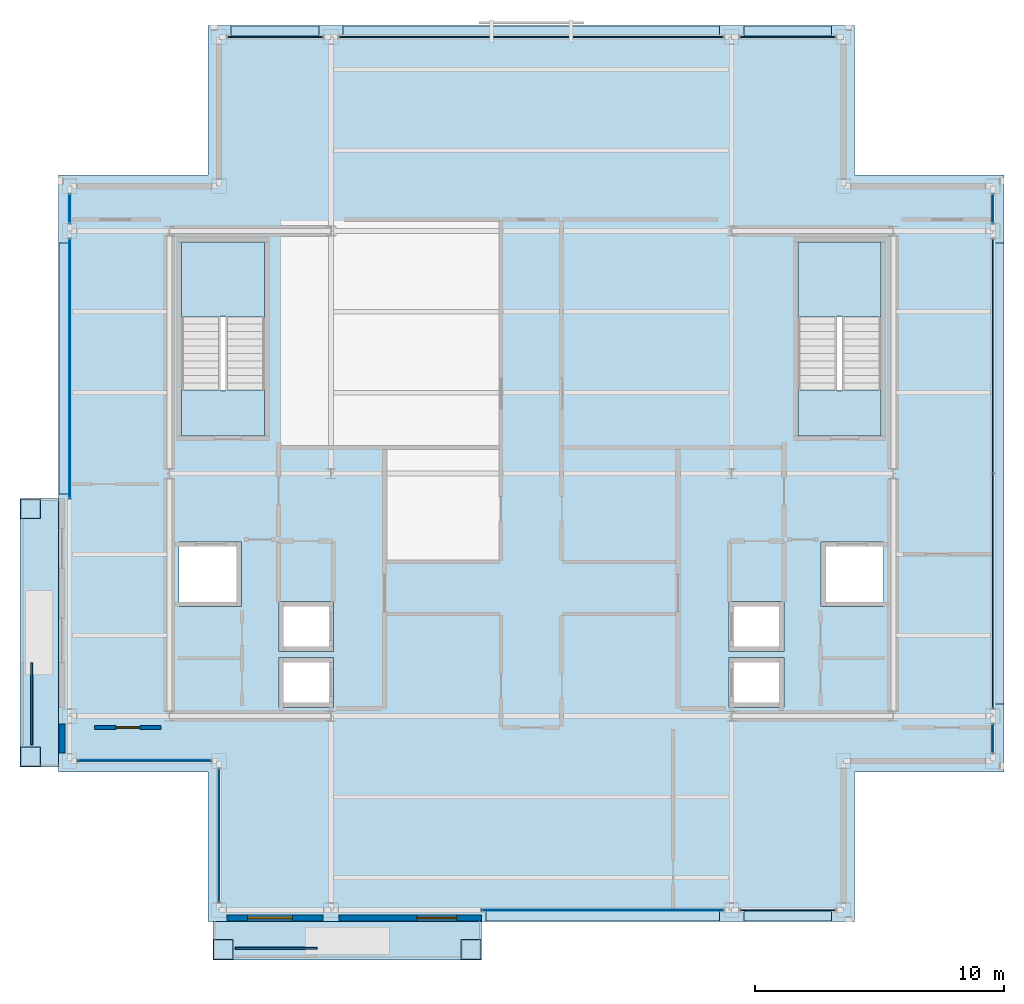
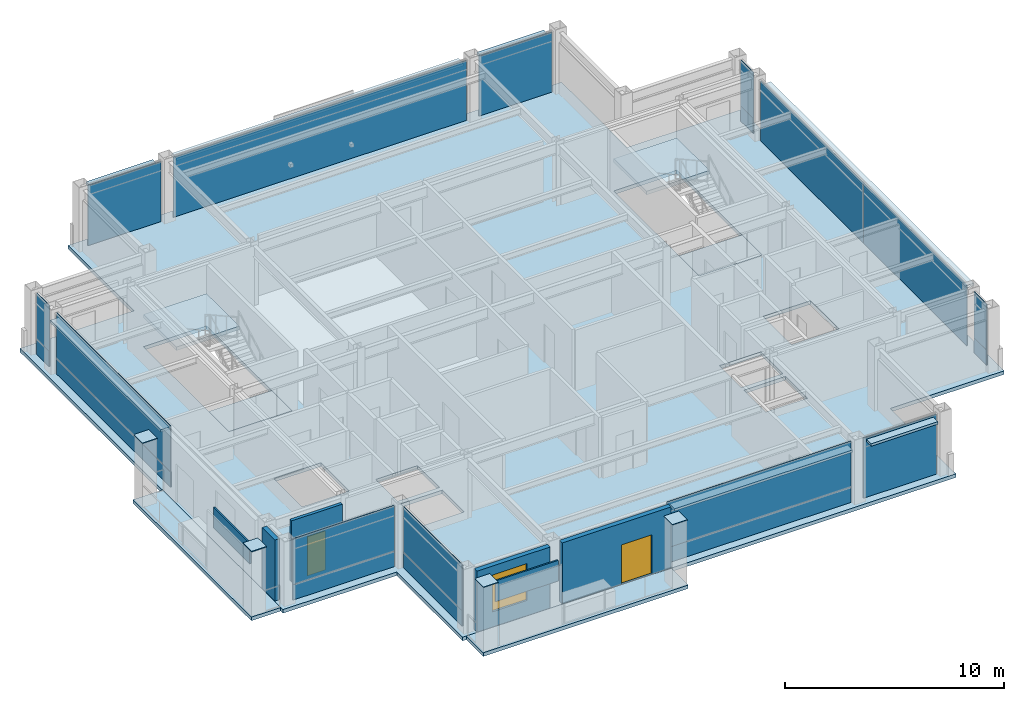
# One storey, part 19 of 24: 33 plates, 7 slabs, 4 walls, 2 doors, 1 window, 3 openings, 14 elements without a shape of their own.
"""IFC4 building model written with IfcOpenShell, lengths in metres."""

from ifc_helpers import new_model, si_unit, direction, frame, frame_2d, origin, origin_2d, place, context, subcontext, project, spatial, polyline, rectangle, outline, extrude, material, layer, layer_set, type_object, element, fill, aggregate, save


model = new_model("IFC4")

# Units and contexts
model_context = context("Model", 3, precision=1e-05, world=origin(), true_north=direction((0.0, 1.0)))
body_context = subcontext(model_context, "Body", "Model", "MODEL_VIEW")
ifc_project = project(units=[si_unit("LENGTHUNIT", "METRE"), si_unit("AREAUNIT", "SQUARE_METRE"), si_unit("VOLUMEUNIT", "CUBIC_METRE"), si_unit("PLANEANGLEUNIT", "RADIAN"), si_unit("MASSUNIT", "GRAM", prefix="KILO")], contexts=[model_context])

# Site, building, storey
site_placement = place(None, origin())
site = spatial("IfcSite", under=ifc_project, at=site_placement, CompositionType="ELEMENT")
building_placement = place(site_placement, origin())
building = spatial("IfcBuilding", under=site, at=building_placement, Name="Brelmoor Portico Tower", CompositionType="ELEMENT")
storey_placement = place(building_placement, frame((0.0, 0.0, 254.39990234375)))
storey = spatial("IfcBuildingStorey", under=building, at=storey_placement, Name="L67", CompositionType="ELEMENT", Elevation=254.39990234375)

# Plates
ifc_material_1 = material(Name="Steel Q355B", Category="steel")
ifc_layer_1 = layer(ifc_material_1, 0.044921875)
ifc_layer_set_1 = layer_set([ifc_layer_1], Name="Steel Q355B")
plate_type_1 = type_object("IfcPlateType", Name="PT-CAP-650", PredefinedType="SHEET", material=ifc_layer_set_1)
for number, where, z_axis, x_axis, name in (
    (1, (-12.3798828125, -19.1298828125, 3.60009765625), (0.0, 0.0, 1.0), (1.0, 0.0, 0.0), "L67 Proud Picture-Frame Pier PFJ-S1 Welded Head Cap Plate"),
    (2, (-2.419921875, -19.1298828125, 3.60009765625), (0.0, 0.0, 1.0), (1.0, 0.0, 0.0), "L67 Proud Picture-Frame Pier PFJ-S2 Welded Head Cap Plate"),
    (3, (-20.1298828125, -11.3798828125, 3.60009765625), (0.0, 0.0, 1.0), (0.0, 1.0, 0.0), "L67 Proud Picture-Frame Pier PFJ-W1 Welded Head Cap Plate"),
    (4, (-20.1298828125, -1.419921875, 3.60009765625), (0.0, 0.0, 1.0), (0.0, 1.0, 0.0), "L67 Proud Picture-Frame Pier PFJ-W2 Welded Head Cap Plate"),
):
    element("IfcPlate", number, at=place(storey_placement, frame(where, z_axis=z_axis, x_axis=x_axis)), inside=storey, type_object=plate_type_1, Name=name, PredefinedType="SHEET", context=body_context, shape_type="SweptSolid", body=[
        extrude(rectangle(XDim=0.7900390625, YDim=0.7900390625, at=origin_2d()), origin(), (0.0, 0.0, 1.0), 0.0400390625),
    ])

# Curtain wall, plate
ifc_material_2 = material(Name="Anodised Aluminium Alloy 6063-T6", Category="aluminium")
ifc_layer_2 = layer(ifc_material_2, 0.179931640625)
ifc_layer_set_2 = layer_set([ifc_layer_2], Name="Anodised Aluminium Alloy 6063-T6")
curtain_wall_type_1 = type_object("IfcCurtainWallType", Name="CW-TOWER-Z4", PredefinedType="NOTDEFINED", material=ifc_layer_set_2)
curtain_wall_1_placement = place(storey_placement, origin())
curtain_wall_1 = element("IfcCurtainWall", 5, at=curtain_wall_1_placement, inside=storey, type_object=curtain_wall_type_1, Name="L67 Curtain Wall CW-L67-1R-1", PredefinedType="NOTDEFINED")
ifc_material_3 = material(Name="Double-Silver Low-E Insulated Glazing", Category="glass")
ifc_layer_3 = layer(ifc_material_3, 0.035888671875)
ifc_layer_set_3 = layer_set([ifc_layer_3], Name="Double-Silver Low-E Insulated Glazing")
plate_type_2 = type_object("IfcPlateType", Name="PT-CW-GLASS", PredefinedType="CURTAIN_PANEL", material=ifc_layer_set_3)
plate_1_placement = place(storey_placement, frame((2.8701171875, -17.550048828125, 0.85009765625), z_axis=(0.0, 0.0, 1.0), x_axis=(1.0, 0.0, 0.0)))
plate_1 = element("IfcPlate", 6, at=plate_1_placement, type_object=plate_type_2, Name="CW-L67-1R-1 Vision Glass Panel 00", PredefinedType="CURTAIN_PANEL", context=body_context, shape_type="SweptSolid", body=[
    extrude(rectangle(XDim=9.7099609375, YDim=0.035888671875, at=origin_2d()), origin(), (0.0, 0.0, 1.0), 2.550048828125),
])

curtain_wall_2_placement = place(storey_placement, origin())
curtain_wall_2 = element("IfcCurtainWall", 7, at=curtain_wall_2_placement, inside=storey, type_object=curtain_wall_type_1, Name="L67 Curtain Wall CW-L67-3R-1", PredefinedType="NOTDEFINED")
plate_2_placement = place(storey_placement, frame((-18.550048828125, 4.219970703125, 0.85009765625), z_axis=(0.0, 0.0, 1.0), x_axis=(0.0, 1.0, 0.0)))
plate_2 = element("IfcPlate", 8, at=plate_2_placement, type_object=plate_type_2, Name="CW-L67-3R-1 Vision Glass Panel 00", PredefinedType="CURTAIN_PANEL", context=body_context, shape_type="SweptSolid", body=[
    extrude(rectangle(XDim=10.409912109375, YDim=0.035888671875, at=origin_2d()), origin(), (0.0, 0.0, 1.0), 2.550048828125),
])

curtain_wall_3_placement = place(storey_placement, origin())
curtain_wall_3 = element("IfcCurtainWall", 9, at=curtain_wall_3_placement, inside=storey, type_object=curtain_wall_type_1, Name="L67 Curtain Wall CW-L67-3R-2", PredefinedType="NOTDEFINED")
plate_3_placement = place(storey_placement, frame((-18.550048828125, 10.64990234375, 0.85009765625), z_axis=(0.0, 0.0, 1.0), x_axis=(0.0, 1.0, 0.0)))
plate_3 = element("IfcPlate", 10, at=plate_3_placement, type_object=plate_type_2, Name="CW-L67-3R-2 Vision Glass Panel 00", PredefinedType="CURTAIN_PANEL", context=body_context, shape_type="SweptSolid", body=[
    extrude(rectangle(XDim=1.14990234375, YDim=0.035888671875, at=origin_2d()), origin(), (0.0, 0.0, 1.0), 2.550048828125),
])

curtain_wall_4_placement = place(storey_placement, origin())
curtain_wall_4 = element("IfcCurtainWall", 11, at=curtain_wall_4_placement, inside=storey, type_object=curtain_wall_type_1, Name="L67 Curtain Wall CW-L67-04-1", PredefinedType="NOTDEFINED")
plate_4_placement = place(storey_placement, frame((18.550048828125, -10.64990234375, 0.85009765625), z_axis=(0.0, 0.0, 1.0), x_axis=(0.0, 1.0, 0.0)))
plate_4 = element("IfcPlate", 12, at=plate_4_placement, type_object=plate_type_2, Name="CW-L67-04-1 Vision Glass Panel 00", PredefinedType="CURTAIN_PANEL", context=body_context, shape_type="SweptSolid", body=[
    extrude(rectangle(XDim=1.14990234375, YDim=0.035888671875, at=origin_2d()), origin(), (0.0, 0.0, 1.0), 2.550048828125),
])

curtain_wall_5_placement = place(storey_placement, origin())
curtain_wall_5 = element("IfcCurtainWall", 13, at=curtain_wall_5_placement, inside=storey, type_object=curtain_wall_type_1, Name="L67 Curtain Wall CW-L67-04-3", PredefinedType="NOTDEFINED")
plate_5_placement = place(storey_placement, frame((18.550048828125, 10.64990234375, 0.85009765625), z_axis=(0.0, 0.0, 1.0), x_axis=(0.0, 1.0, 0.0)))
plate_5 = element("IfcPlate", 14, at=plate_5_placement, type_object=plate_type_2, Name="CW-L67-04-3 Vision Glass Panel 00", PredefinedType="CURTAIN_PANEL", context=body_context, shape_type="SweptSolid", body=[
    extrude(rectangle(XDim=1.14990234375, YDim=0.035888671875, at=origin_2d()), origin(), (0.0, 0.0, 1.0), 2.550048828125),
])

ifc_layer_4 = layer(ifc_material_2, 0.179931640625)
ifc_layer_set_4 = layer_set([ifc_layer_4], Name="Anodised Aluminium Alloy 6063-T6")
curtain_wall_type_2 = type_object("IfcCurtainWallType", Name="CW-NOTCH-CHAMFER", PredefinedType="NOTDEFINED", material=ifc_layer_set_4)
curtain_wall_6_placement = place(storey_placement, origin())
curtain_wall_6 = element("IfcCurtainWall", 15, at=curtain_wall_6_placement, inside=storey, type_object=curtain_wall_type_2, Name="L67 Curtain Wall CWN-L67-SWH", PredefinedType="NOTDEFINED")
plate_6_placement = place(storey_placement, frame((-15.550048828125, -11.550048828125, 0.85009765625), z_axis=(0.0, 0.0, 1.0), x_axis=(1.0, 0.0, 0.0)))
plate_6 = element("IfcPlate", 16, at=plate_6_placement, type_object=plate_type_2, Name="CWN-L67-SWH Vision Glass Panel 00", PredefinedType="CURTAIN_PANEL", context=body_context, shape_type="SweptSolid", body=[
    extrude(rectangle(XDim=5.35009765625, YDim=0.035888671875, at=origin_2d()), origin(), (0.0, 0.0, 1.0), 2.550048828125),
])

curtain_wall_7_placement = place(storey_placement, origin())
curtain_wall_7 = element("IfcCurtainWall", 17, at=curtain_wall_7_placement, inside=storey, type_object=curtain_wall_type_2, Name="L67 Curtain Wall CWN-L67-SWV", PredefinedType="NOTDEFINED")
plate_7_placement = place(storey_placement, frame((-12.550048828125, -14.550048828125, 0.85009765625), z_axis=(0.0, 0.0, 1.0), x_axis=(0.0, 1.0, 0.0)))
plate_7 = element("IfcPlate", 18, at=plate_7_placement, type_object=plate_type_2, Name="CWN-L67-SWV Vision Glass Panel 00", PredefinedType="CURTAIN_PANEL", context=body_context, shape_type="SweptSolid", body=[
    extrude(rectangle(XDim=5.35009765625, YDim=0.035888671875, at=origin_2d()), origin(), (0.0, 0.0, 1.0), 2.550048828125),
])

# Plate
ifc_material_4 = material(Name="Pale Champagne Anodised Aluminium Panel", Category="aluminium")
ifc_layer_5 = layer(ifc_material_4, 0.050048828125)
ifc_layer_set_5 = layer_set([ifc_layer_5], Name="Pale Champagne Anodised Aluminium Panel")
plate_type_3 = type_object("IfcPlateType", Name="PT-CW-SPANDREL", PredefinedType="SHEET", material=ifc_layer_set_5)
plate_8_placement = place(storey_placement, frame((2.8701171875, -17.550048828125, 0.0), z_axis=(0.0, 0.0, 1.0), x_axis=(1.0, 0.0, 0.0)))
plate_8 = element("IfcPlate", 19, at=plate_8_placement, type_object=plate_type_3, Name="CW-L67-1R-1 Spandrel Panel 00", PredefinedType="SHEET", context=body_context, shape_type="SweptSolid", body=[
    extrude(rectangle(XDim=9.7099609375, YDim=0.050048828125, at=origin_2d()), origin(), (0.0, 0.0, 1.0), 0.85009765625),
])

aggregate(curtain_wall_1, [plate_8, plate_1])

# Curtain wall, plate
ifc_layer_6 = layer(ifc_material_2, 0.179931640625)
ifc_layer_set_6 = layer_set([ifc_layer_6], Name="Anodised Aluminium Alloy 6063-T6")
curtain_wall_type_3 = type_object("IfcCurtainWallType", Name="CW-TOWER-Z4-XB", PredefinedType="NOTDEFINED", material=ifc_layer_set_6)
curtain_wall_8_placement = place(storey_placement, origin())
curtain_wall_8 = element("IfcCurtainWall", 20, at=curtain_wall_8_placement, inside=storey, type_object=curtain_wall_type_3, Name="L67 Curtain Wall CW-L67-1R-2", PredefinedType="NOTDEFINED")
plate_9_placement = place(storey_placement, frame((10.300048828125, -17.550048828125, 0.000244140625), z_axis=(0.0, 0.0, 1.0), x_axis=(1.0, 0.0, 0.0)))
plate_9 = element("IfcPlate", 21, at=plate_9_placement, type_object=plate_type_3, Name="CW-L67-1R-2 Spandrel Panel 00", PredefinedType="SHEET", context=body_context, shape_type="SweptSolid", body=[
    extrude(rectangle(XDim=3.85009765625, YDim=0.050048828125, at=origin_2d()), origin(), (0.0, 0.0, 1.0), 3.33740234375),
])
aggregate(curtain_wall_8, [plate_9])

curtain_wall_9_placement = place(storey_placement, origin())
curtain_wall_9 = element("IfcCurtainWall", 22, at=curtain_wall_9_placement, inside=storey, type_object=curtain_wall_type_3, Name="L67 Curtain Wall CW-L67-02-1", PredefinedType="NOTDEFINED")
plate_10_placement = place(storey_placement, frame((-10.300048828125, 17.550048828125, 0.000244140625), z_axis=(0.0, 0.0, 1.0), x_axis=(1.0, 0.0, 0.0)))
plate_10 = element("IfcPlate", 23, at=plate_10_placement, type_object=plate_type_3, Name="CW-L67-02-1 Spandrel Panel 00", PredefinedType="SHEET", context=body_context, shape_type="SweptSolid", body=[
    extrude(rectangle(XDim=3.85009765625, YDim=0.050048828125, at=origin_2d()), origin(), (0.0, 0.0, 1.0), 3.33740234375),
])
aggregate(curtain_wall_9, [plate_10])

curtain_wall_10_placement = place(storey_placement, origin())
curtain_wall_10 = element("IfcCurtainWall", 24, at=curtain_wall_10_placement, inside=storey, type_object=curtain_wall_type_3, Name="L67 Curtain Wall CW-L67-02-2", PredefinedType="NOTDEFINED")
plate_11_placement = place(storey_placement, frame((0.0, 17.550048828125, 0.000244140625), z_axis=(0.0, 0.0, 1.0), x_axis=(1.0, 0.0, 0.0)))
plate_11 = element("IfcPlate", 25, at=plate_11_placement, type_object=plate_type_3, Name="CW-L67-02-2 Spandrel Panel 00", PredefinedType="SHEET", context=body_context, shape_type="SweptSolid", body=[
    extrude(rectangle(XDim=15.449951171875, YDim=0.050048828125, at=origin_2d()), origin(), (0.0, 0.0, 1.0), 3.33740234375),
])
aggregate(curtain_wall_10, [plate_11])

curtain_wall_11_placement = place(storey_placement, origin())
curtain_wall_11 = element("IfcCurtainWall", 26, at=curtain_wall_11_placement, inside=storey, type_object=curtain_wall_type_3, Name="L67 Curtain Wall CW-L67-02-3", PredefinedType="NOTDEFINED")
plate_12_placement = place(storey_placement, frame((10.300048828125, 17.550048828125, 0.000244140625), z_axis=(0.0, 0.0, 1.0), x_axis=(1.0, 0.0, 0.0)))
plate_12 = element("IfcPlate", 27, at=plate_12_placement, type_object=plate_type_3, Name="CW-L67-02-3 Spandrel Panel 00", PredefinedType="SHEET", context=body_context, shape_type="SweptSolid", body=[
    extrude(rectangle(XDim=3.85009765625, YDim=0.050048828125, at=origin_2d()), origin(), (0.0, 0.0, 1.0), 3.33740234375),
])
aggregate(curtain_wall_11, [plate_12])

# Plate
plate_13_placement = place(storey_placement, frame((-18.550048828125, 4.219970703125, 0.0), z_axis=(0.0, 0.0, 1.0), x_axis=(0.0, 1.0, 0.0)))
plate_13 = element("IfcPlate", 28, at=plate_13_placement, type_object=plate_type_3, Name="CW-L67-3R-1 Spandrel Panel 00", PredefinedType="SHEET", context=body_context, shape_type="SweptSolid", body=[
    extrude(rectangle(XDim=10.409912109375, YDim=0.050048828125, at=origin_2d()), origin(), (0.0, 0.0, 1.0), 0.85009765625),
])

aggregate(curtain_wall_2, [plate_13, plate_2])

plate_14_placement = place(storey_placement, frame((-18.550048828125, 10.64990234375, 0.0), z_axis=(0.0, 0.0, 1.0), x_axis=(0.0, 1.0, 0.0)))
plate_14 = element("IfcPlate", 29, at=plate_14_placement, type_object=plate_type_3, Name="CW-L67-3R-2 Spandrel Panel 00", PredefinedType="SHEET", context=body_context, shape_type="SweptSolid", body=[
    extrude(rectangle(XDim=1.14990234375, YDim=0.050048828125, at=origin_2d()), origin(), (0.0, 0.0, 1.0), 0.85009765625),
])

aggregate(curtain_wall_3, [plate_14, plate_3])

plate_15_placement = place(storey_placement, frame((18.550048828125, -10.64990234375, 0.0), z_axis=(0.0, 0.0, 1.0), x_axis=(0.0, 1.0, 0.0)))
plate_15 = element("IfcPlate", 30, at=plate_15_placement, type_object=plate_type_3, Name="CW-L67-04-1 Spandrel Panel 00", PredefinedType="SHEET", context=body_context, shape_type="SweptSolid", body=[
    extrude(rectangle(XDim=1.14990234375, YDim=0.050048828125, at=origin_2d()), origin(), (0.0, 0.0, 1.0), 0.85009765625),
])

aggregate(curtain_wall_4, [plate_15, plate_4])

# Curtain wall, plates
curtain_wall_12_placement = place(storey_placement, origin())
curtain_wall_12 = element("IfcCurtainWall", 31, at=curtain_wall_12_placement, inside=storey, type_object=curtain_wall_type_3, Name="L67 Curtain Wall CW-L67-04-2", PredefinedType="NOTDEFINED")
plate_16_placement = place(storey_placement, frame((18.550048828125, -4.719970703125, 0.000244140625), z_axis=(0.0, 0.0, 1.0), x_axis=(0.0, 1.0, 0.0)))
plate_16 = element("IfcPlate", 32, at=plate_16_placement, type_object=plate_type_3, Name="CW-L67-04-2 Spandrel Panel 00", PredefinedType="SHEET", context=body_context, shape_type="SweptSolid", body=[
    extrude(rectangle(XDim=9.409912109375, YDim=0.050048828125, at=origin_2d()), origin(), (0.0, 0.0, 1.0), 3.33740234375),
])
plate_17_placement = place(storey_placement, frame((18.550048828125, 4.719970703125, 0.000244140625), z_axis=(0.0, 0.0, 1.0), x_axis=(0.0, 1.0, 0.0)))
plate_17 = element("IfcPlate", 33, at=plate_17_placement, type_object=plate_type_3, Name="CW-L67-04-2 Spandrel Panel 01", PredefinedType="SHEET", context=body_context, shape_type="SweptSolid", body=[
    extrude(rectangle(XDim=9.409912109375, YDim=0.050048828125, at=origin_2d()), origin(), (0.0, 0.0, 1.0), 3.33740234375),
])
aggregate(curtain_wall_12, [plate_16, plate_17])

# Plate
plate_18_placement = place(storey_placement, frame((18.550048828125, 10.64990234375, 0.0), z_axis=(0.0, 0.0, 1.0), x_axis=(0.0, 1.0, 0.0)))
plate_18 = element("IfcPlate", 34, at=plate_18_placement, type_object=plate_type_3, Name="CW-L67-04-3 Spandrel Panel 00", PredefinedType="SHEET", context=body_context, shape_type="SweptSolid", body=[
    extrude(rectangle(XDim=1.14990234375, YDim=0.050048828125, at=origin_2d()), origin(), (0.0, 0.0, 1.0), 0.85009765625),
])

aggregate(curtain_wall_5, [plate_18, plate_5])

plate_19_placement = place(storey_placement, frame((-15.550048828125, -11.550048828125, 0.0), z_axis=(0.0, 0.0, 1.0), x_axis=(1.0, 0.0, 0.0)))
plate_19 = element("IfcPlate", 35, at=plate_19_placement, type_object=plate_type_3, Name="CWN-L67-SWH Spandrel Panel 00", PredefinedType="SHEET", context=body_context, shape_type="SweptSolid", body=[
    extrude(rectangle(XDim=5.35009765625, YDim=0.050048828125, at=origin_2d()), origin(), (0.0, 0.0, 1.0), 0.85009765625),
])

aggregate(curtain_wall_6, [plate_19, plate_6])

plate_20_placement = place(storey_placement, frame((-12.550048828125, -14.550048828125, 0.0), z_axis=(0.0, 0.0, 1.0), x_axis=(0.0, 1.0, 0.0)))
plate_20 = element("IfcPlate", 36, at=plate_20_placement, type_object=plate_type_3, Name="CWN-L67-SWV Spandrel Panel 00", PredefinedType="SHEET", context=body_context, shape_type="SweptSolid", body=[
    extrude(rectangle(XDim=5.35009765625, YDim=0.050048828125, at=origin_2d()), origin(), (0.0, 0.0, 1.0), 0.85009765625),
])

aggregate(curtain_wall_7, [plate_20, plate_7])

# Plates
ifc_material_5 = material(Name="Powder-Coated Aluminium Shuttered Jalousie Louvre", Category="aluminium")
ifc_layer_7 = layer(ifc_material_5, 0.06005859375)
ifc_layer_set_7 = layer_set([ifc_layer_7], Name="Powder-Coated Aluminium Shuttered Jalousie Louvre")
plate_type_4 = type_object("IfcPlateType", Name="PT-JALOUSIE-SHUTTER", PredefinedType="SHEET", material=ifc_layer_set_7)
for number, where, z_axis, x_axis, name in (
    (37, (-10.25, -19.080078125, 2.275146484375), (0.0, 0.0, 1.0), (1.0, 0.0, 0.0), "L67 Shuttered Veranda Screen S"),
    (38, (-20.080078125, -9.25, 2.275146484375), (0.0, 0.0, 1.0), (0.0, 1.0, 0.0), "L67 Shuttered Veranda Screen W"),
):
    element("IfcPlate", number, at=place(storey_placement, frame(where, z_axis=z_axis, x_axis=x_axis)), inside=storey, type_object=plate_type_4, Name=name, PredefinedType="SHEET", context=body_context, shape_type="SweptSolid", body=[
        extrude(rectangle(XDim=3.300048828125, YDim=0.080078125, at=origin_2d()), origin(), (0.0, 0.0, 1.0), 1.14990234375),
    ])
ifc_material_6 = material(Name="Pale Champagne Perforated Aluminium Solar Screen", Category="aluminium")
ifc_layer_8 = layer(ifc_material_6, 0.054931640625)
ifc_layer_set_8 = layer_set([ifc_layer_8], Name="Pale Champagne Perforated Aluminium Solar Screen")
plate_type_5 = type_object("IfcPlateType", Name="PT-SOLAR-LOUVRE", PredefinedType="SHEET", material=ifc_layer_set_8)
plate_21_placement = place(storey_placement, frame((2.8701171875, -17.760009765625, 3.09033203125), z_axis=(0.0, 0.0, 1.0), x_axis=(1.0, 0.0, 0.0)))
element("IfcPlate", 39, at=plate_21_placement, inside=storey, type_object=plate_type_5, Name="CW-L67-1R-1 Caribbean Brise-Soleil Solar Screen", PredefinedType="SHEET", context=body_context, shape_type="SweptSolid", body=[
    extrude(rectangle(XDim=9.3798828125, YDim=0.4599609375, at=origin_2d()), origin(), (0.0, 0.0, 1.0), 0.139892578125),
])
for number, where, z_axis, x_axis, name in (
    (40, (10.300048828125, -17.760009765625, 3.09033203125), (0.0, 0.0, 1.0), (1.0, 0.0, 0.0), "CW-L67-1R-2 Caribbean Brise-Soleil Solar Screen"),
    (41, (-10.300048828125, 17.760009765625, 3.09033203125), (0.0, 0.0, 1.0), (1.0, 0.0, 0.0), "CW-L67-02-1 Caribbean Brise-Soleil Solar Screen"),
):
    element("IfcPlate", number, at=place(storey_placement, frame(where, z_axis=z_axis, x_axis=x_axis)), inside=storey, type_object=plate_type_5, Name=name, PredefinedType="SHEET", context=body_context, shape_type="SweptSolid", body=[
        extrude(rectangle(XDim=3.52001953125, YDim=0.4599609375, at=origin_2d()), origin(), (0.0, 0.0, 1.0), 0.139892578125),
    ])
plate_22_placement = place(storey_placement, frame((0.0, 17.760009765625, 3.09033203125), z_axis=(0.0, 0.0, 1.0), x_axis=(1.0, 0.0, 0.0)))
element("IfcPlate", 42, at=plate_22_placement, inside=storey, type_object=plate_type_5, Name="CW-L67-02-2 Caribbean Brise-Soleil Solar Screen", PredefinedType="SHEET", context=body_context, shape_type="SweptSolid", body=[
    extrude(rectangle(XDim=15.1201171875, YDim=0.4599609375, at=origin_2d()), origin(), (0.0, 0.0, 1.0), 0.139892578125),
])
plate_23_placement = place(storey_placement, frame((10.300048828125, 17.760009765625, 3.09033203125), z_axis=(0.0, 0.0, 1.0), x_axis=(1.0, 0.0, 0.0)))
element("IfcPlate", 43, at=plate_23_placement, inside=storey, type_object=plate_type_5, Name="CW-L67-02-3 Caribbean Brise-Soleil Solar Screen", PredefinedType="SHEET", context=body_context, shape_type="SweptSolid", body=[
    extrude(rectangle(XDim=3.52001953125, YDim=0.4599609375, at=origin_2d()), origin(), (0.0, 0.0, 1.0), 0.139892578125),
])
plate_24_placement = place(storey_placement, frame((-18.760009765625, 4.219970703125, 3.09033203125), z_axis=(0.0, 0.0, 1.0), x_axis=(0.0, 1.0, 0.0)))
element("IfcPlate", 44, at=plate_24_placement, inside=storey, type_object=plate_type_5, Name="CW-L67-3R-1 Caribbean Brise-Soleil Solar Screen", PredefinedType="SHEET", context=body_context, shape_type="SweptSolid", body=[
    extrude(rectangle(XDim=10.080078125, YDim=0.4599609375, at=origin_2d()), origin(), (0.0, 0.0, 1.0), 0.139892578125),
])
plate_25_placement = place(storey_placement, frame((18.760009765625, 0.0, 3.09033203125), z_axis=(0.0, 0.0, 1.0), x_axis=(0.0, 1.0, 0.0)))
element("IfcPlate", 45, at=plate_25_placement, inside=storey, type_object=plate_type_5, Name="CW-L67-04-2 Caribbean Brise-Soleil Solar Screen", PredefinedType="SHEET", context=body_context, shape_type="SweptSolid", body=[
    extrude(rectangle(XDim=18.52001953125, YDim=0.4599609375, at=origin_2d()), origin(), (0.0, 0.0, 1.0), 0.139892578125),
])

# Slabs
ifc_material_7 = material(Name="Concrete C40", Category="concrete")
ifc_layer_9 = layer(ifc_material_7, 0.199951171875)
ifc_layer_set_9 = layer_set([ifc_layer_9], Name="Concrete C40")
slab_type_1 = type_object("IfcSlabType", Name="SL-BALCONY-200", PredefinedType="FLOOR", material=ifc_layer_set_9)
slab_1_placement = place(storey_placement, frame((0.0, 0.0, -0.199951171875)))
element("IfcSlab", 46, at=slab_1_placement, inside=storey, type_object=slab_type_1, Name="L67 Loggia Tree Balcony Slab S", PredefinedType="FLOOR", context=body_context, shape_type="SweptSolid", body=[
    extrude(outline(polyline([(-12.800048828125, -19.550048828125), (-2.0, -19.550048828125), (-2.0, -18.0), (-12.800048828125, -18.0), (-12.800048828125, -19.550048828125)])), origin(), (0.0, 0.0, 1.0), 0.199951171875),
])
slab_2_placement = place(storey_placement, frame((0.0, 0.0, -0.199951171875)))
element("IfcSlab", 47, at=slab_2_placement, inside=storey, type_object=slab_type_1, Name="L67 Loggia Tree Balcony Slab W", PredefinedType="FLOOR", context=body_context, shape_type="SweptSolid", body=[
    extrude(outline(polyline([(-20.550048828125, -11.800048828125), (-19.0, -11.800048828125), (-19.0, -1.0), (-20.550048828125, -1.0), (-20.550048828125, -11.800048828125)])), origin(), (0.0, 0.0, 1.0), 0.199951171875),
])
ifc_layer_10 = layer(ifc_material_7, 0.199951171875)
ifc_layer_set_10 = layer_set([ifc_layer_10], Name="Concrete C40")
slab_type_2 = type_object("IfcSlabType", Name="SL-FLOOR-200", PredefinedType="FLOOR", material=ifc_layer_set_10)
slab_3_placement = place(storey_placement, frame((0.0, 0.0, -0.199951171875)))
element("IfcSlab", 48, at=slab_3_placement, inside=storey, type_object=slab_type_2, Name="L67 Main Structural Floor Slab", PredefinedType="FLOOR", context=body_context, shape_type="SweptSolid", body=[
    extrude(outline(polyline([(-13.0, -18.0), (13.0, -18.0), (13.0, -12.0), (19.0, -12.0), (19.0, 12.0), (13.0, 12.0), (13.0, 18.0), (-13.0, 18.0), (-13.0, 12.0), (-19.0, 12.0), (-19.0, -12.0), (-13.0, -12.0), (-13.0, -18.0)]), holes=[polyline([(-10.72998046875, 1.5), (-10.72998046875, 9.300048828125), (-14.050048828125, 9.300048828125), (-14.050048828125, 1.5), (-10.72998046875, 1.5)]), polyline([(14.050048828125, 1.5), (14.050048828125, 9.300048828125), (10.72998046875, 9.300048828125), (10.72998046875, 1.5), (14.050048828125, 1.5)]), polyline([(-10.14990234375, -9.39990234375), (-7.949951171875, -9.39990234375), (-7.949951171875, -7.39990234375), (-10.14990234375, -7.39990234375), (-10.14990234375, -9.39990234375)]), polyline([(-10.14990234375, -7.14990234375), (-7.949951171875, -7.14990234375), (-7.949951171875, -5.14990234375), (-10.14990234375, -5.14990234375), (-10.14990234375, -7.14990234375)]), polyline([(7.949951171875, -9.39990234375), (10.14990234375, -9.39990234375), (10.14990234375, -7.39990234375), (7.949951171875, -7.39990234375), (7.949951171875, -9.39990234375)]), polyline([(7.949951171875, -7.14990234375), (10.14990234375, -7.14990234375), (10.14990234375, -5.14990234375), (7.949951171875, -5.14990234375), (7.949951171875, -7.14990234375)]), polyline([(-14.14990234375, -5.35009765625), (-11.64990234375, -5.35009765625), (-11.64990234375, -2.75), (-14.14990234375, -2.75), (-14.14990234375, -5.35009765625)]), polyline([(11.64990234375, -5.35009765625), (14.14990234375, -5.35009765625), (14.14990234375, -2.75), (11.64990234375, -2.75), (11.64990234375, -5.35009765625)])]), origin(), (0.0, 0.0, 1.0), 0.199951171875),
])

# Stair, slab
stair_type_1 = type_object("IfcStairType", Name="ST-CORE-W", PredefinedType="HALF_TURN_STAIR", material=ifc_material_7)
stair_1_placement = place(storey_placement, origin())
stair_1 = element("IfcStair", 49, at=stair_1_placement, inside=storey, type_object=stair_type_1, Name="L67 Protected Core Exit Stair ST-W", PredefinedType="HALF_TURN_STAIR")
ifc_layer_11 = layer(ifc_material_7, 0.179931640625)
ifc_layer_set_11 = layer_set([ifc_layer_11], Name="Concrete C40")
slab_type_3 = type_object("IfcSlabType", Name="SL-LANDING-180", PredefinedType="LANDING", material=ifc_layer_set_11)
slab_4_placement = place(storey_placement, frame((0.0, 0.0, 1.60009765625)))
slab_4 = element("IfcSlab", 50, at=slab_4_placement, type_object=slab_type_3, Name="ST-W landing 1", PredefinedType="LANDING", context=body_context, shape_type="SweptSolid", body=[
    extrude(outline(polyline([(-10.72998046875, 6.300048828125), (-10.72998046875, 9.300048828125), (-14.050048828125, 9.300048828125), (-14.050048828125, 6.300048828125), (-10.72998046875, 6.300048828125)])), origin(), (0.0, 0.0, 1.0), 0.199951171875),
])
aggregate(stair_1, [slab_4])

stair_type_2 = type_object("IfcStairType", Name="ST-CORE-E", PredefinedType="HALF_TURN_STAIR", material=ifc_material_7)
stair_2_placement = place(storey_placement, origin())
stair_2 = element("IfcStair", 51, at=stair_2_placement, inside=storey, type_object=stair_type_2, Name="L67 Protected Core Exit Stair ST-E", PredefinedType="HALF_TURN_STAIR")
slab_5_placement = place(storey_placement, frame((0.0, 0.0, 1.60009765625)))
slab_5 = element("IfcSlab", 52, at=slab_5_placement, type_object=slab_type_3, Name="ST-E landing 1", PredefinedType="LANDING", context=body_context, shape_type="SweptSolid", body=[
    extrude(outline(polyline([(14.050048828125, 6.300048828125), (14.050048828125, 9.300048828125), (10.72998046875, 9.300048828125), (10.72998046875, 6.300048828125), (14.050048828125, 6.300048828125)])), origin(), (0.0, 0.0, 1.0), 0.199951171875),
])
aggregate(stair_2, [slab_5])

# Slabs
ifc_layer_12 = layer(ifc_material_7, 0.199951171875)
ifc_layer_set_12 = layer_set([ifc_layer_12], Name="Concrete C40")
slab_type_4 = type_object("IfcSlabType", Name="SL-STAIR-FL200", PredefinedType="LANDING", material=ifc_layer_set_12)
slab_6_placement = place(storey_placement, frame((0.0, 0.0, -0.199951171875)))
element("IfcSlab", 53, at=slab_6_placement, inside=storey, type_object=slab_type_4, Name="L67 ST-W Structural Floor Landing Slab", PredefinedType="LANDING", context=body_context, shape_type="SweptSolid", body=[
    extrude(outline(polyline([(-10.72998046875, 1.5), (-10.72998046875, 3.35009765625), (-14.050048828125, 3.35009765625), (-14.050048828125, 1.5), (-10.72998046875, 1.5)])), origin(), (0.0, 0.0, 1.0), 0.199951171875),
])
slab_7_placement = place(storey_placement, frame((0.0, 0.0, -0.199951171875)))
element("IfcSlab", 54, at=slab_7_placement, inside=storey, type_object=slab_type_4, Name="L67 ST-E Structural Floor Landing Slab", PredefinedType="LANDING", context=body_context, shape_type="SweptSolid", body=[
    extrude(outline(polyline([(14.050048828125, 1.5), (14.050048828125, 3.35009765625), (10.72998046875, 3.35009765625), (10.72998046875, 1.5), (14.050048828125, 1.5)])), origin(), (0.0, 0.0, 1.0), 0.199951171875),
])

# Wall, opening, window
ifc_material_8 = material(Name="Precast Concrete C40 Insulated Facade Wall", Category="concrete")
ifc_layer_13 = layer(ifc_material_8, 0.25)
ifc_layer_set_13 = layer_set([ifc_layer_13], Name="Precast Concrete C40 Insulated Facade Wall")
wall_type_1 = type_object("IfcWallType", Name="WL-EXT-250", PredefinedType="STANDARD", material=ifc_layer_set_13)
wall_1_placement = place(storey_placement, frame((-12.22998046875, -17.860107421875, 0.0), z_axis=(0.0, 0.0, 1.0), x_axis=(1.0, 0.0, 0.0)))
wall_1 = element("IfcWall", 55, at=wall_1_placement, inside=storey, type_object=wall_type_1, Name="L67 Loggia Threshold Wall S-1", PredefinedType="STANDARD", context=body_context, shape_type="SweptSolid", body=[
    extrude(rectangle(XDim=3.85986328125, YDim=0.25, at=frame_2d((1.929931640625, 0.0))), origin(), (0.0, 0.0, 1.0), 3.400146484375),
])
opening_1_placement = place(wall_1_placement, frame((0.830078125, 0.0, 0.85009765625)))
opening_1 = element("IfcOpeningElement", 56, at=opening_1_placement, cuts=wall_1, Name="Opening W-03C", PredefinedType="OPENING", context=body_context, shape_type="SweptSolid", body=[
    extrude(rectangle(XDim=1.800048828125, YDim=2.050048828125, at=frame_2d((0.89990234375, 1.02490234375))), frame((0.0, 0.135009765625, 0.0), z_axis=(0.0, -1.0, 0.0), x_axis=(1.0, 0.0, 0.0)), (0.0, 0.0, 1.0), 0.27001953125),
])
ifc_material_9 = material(Name="Thermally Broken Aluminium Low-E Window", Category="aluminium")
window_type = type_object("IfcWindowType", Name="WN-LOGGIA-1800x2050", PartitioningType="SINGLE_PANEL", PredefinedType="WINDOW", material=ifc_material_9)
window_placement = place(opening_1_placement, origin())
window = element("IfcWindow", 57, at=window_placement, inside=storey, type_object=window_type, Name="L67 Loggia Window S", OverallHeight=2.050048828125, OverallWidth=1.800048828125, PartitioningType="SINGLE_PANEL", PredefinedType="WINDOW", context=body_context, shape_type="SweptSolid", body=[
    extrude(rectangle(XDim=1.800048828125, YDim=2.050048828125, at=frame_2d((0.89990234375, 1.02490234375))), frame((0.0, 0.030029296875, 0.0), z_axis=(0.0, -1.0, 0.0), x_axis=(1.0, 0.0, 0.0)), (0.0, 0.0, 1.0), 0.06005859375),
])
fill(opening_1, window)

# Wall, opening, door
wall_2_placement = place(storey_placement, frame((-7.72998046875, -17.860107421875, 0.0), z_axis=(0.0, 0.0, 1.0), x_axis=(1.0, 0.0, 0.0)))
wall_2 = element("IfcWall", 58, at=wall_2_placement, inside=storey, type_object=wall_type_1, Name="L67 Loggia Threshold Wall S-2", PredefinedType="STANDARD", context=body_context, shape_type="SweptSolid", body=[
    extrude(rectangle(XDim=5.72998046875, YDim=0.25, at=frame_2d((2.864990234375, 0.0))), origin(), (0.0, 0.0, 1.0), 3.400146484375),
])
opening_2_placement = place(wall_2_placement, frame((3.1298828125, 0.0, 0.0)))
opening_2 = element("IfcOpeningElement", 59, at=opening_2_placement, cuts=wall_2, Name="Opening D-TB1", PredefinedType="OPENING", context=body_context, shape_type="SweptSolid", body=[
    extrude(rectangle(XDim=1.60009765625, YDim=2.199951171875, at=frame_2d((0.800048828125, 1.10009765625))), frame((0.0, 0.135009765625, 0.0), z_axis=(0.0, -1.0, 0.0), x_axis=(1.0, 0.0, 0.0)), (0.0, 0.0, 1.0), 0.27001953125),
])
ifc_material_10 = material(Name="Double-Leaf Thermally Broken Terrace Door", Category="aluminium")
door_type_1 = type_object("IfcDoorType", Name="DR-BALCONY-1600", OperationType="NOTDEFINED", PredefinedType="DOOR", material=ifc_material_10)
door_1_placement = place(opening_2_placement, origin())
door_1 = element("IfcDoor", 60, at=door_1_placement, inside=storey, type_object=door_type_1, Name="D-2773 L67 Tree Balcony Double Door S", OperationType="DOUBLE_DOOR_SINGLE_SWING", OverallHeight=2.199951171875, OverallWidth=1.60009765625, PredefinedType="DOOR", context=body_context, shape_type="SweptSolid", body=[
    extrude(rectangle(XDim=1.60009765625, YDim=2.199951171875, at=frame_2d((0.800048828125, 1.10009765625))), frame((0.0, 0.02490234375, 0.0), z_axis=(0.0, -1.0, 0.0), x_axis=(1.0, 0.0, 0.0)), (0.0, 0.0, 1.0), 0.050048828125),
])
fill(opening_2, door_1)

# Wall
wall_3_placement = place(storey_placement, frame((-18.860107421875, -11.22998046875, 0.0), z_axis=(0.0, 0.0, 1.0), x_axis=(0.0, 1.0, 0.0)))
element("IfcWall", 61, at=wall_3_placement, inside=storey, type_object=wall_type_1, Name="L67 Loggia Threshold Wall W-1", PredefinedType="STANDARD", context=body_context, shape_type="SweptSolid", body=[
    extrude(rectangle(XDim=1.159912109375, YDim=0.25, at=frame_2d((0.580078125, 0.0))), origin(), (0.0, 0.0, 1.0), 3.400146484375),
])

# Wall, opening, door
ifc_material_11 = material(Name="Twin-Frame Acoustic Partition", Category="gypsum")
ifc_layer_14 = layer(ifc_material_11, 0.159912109375)
ifc_layer_set_14 = layer_set([ifc_layer_14], Name="Twin-Frame Acoustic Partition")
wall_type_2 = type_object("IfcWallType", Name="WL-PART-160", PredefinedType="PARTITIONING", material=ifc_layer_set_14)
wall_4_placement = place(storey_placement, frame((-17.550048828125, -10.2099609375, 0.0), z_axis=(0.0, 0.0, 1.0), x_axis=(1.0, 0.0, 0.0)))
wall_4 = element("IfcWall", 62, at=wall_4_placement, inside=storey, type_object=wall_type_2, Name="L67 South Wing Closure WL", PredefinedType="PARTITIONING", context=body_context, shape_type="SweptSolid", body=[
    extrude(rectangle(XDim=2.670166015625, YDim=0.159912109375, at=frame_2d((1.3349609375, 0.0))), origin(), (0.0, 0.0, 1.0), 3.400146484375),
])
opening_3_placement = place(wall_4_placement, frame((0.85498046875, 0.0, 0.0)))
opening_3 = element("IfcOpeningElement", 63, at=opening_3_placement, cuts=wall_4, Name="Opening D-IN2", PredefinedType="OPENING", context=body_context, shape_type="SweptSolid", body=[
    extrude(rectangle(XDim=0.9599609375, YDim=2.179931640625, at=frame_2d((0.47998046875, 1.08984375))), frame((0.0, 0.08984375, 0.0), z_axis=(0.0, -1.0, 0.0), x_axis=(1.0, 0.0, 0.0)), (0.0, 0.0, 1.0), 0.179931640625),
])
ifc_material_12 = material(Name="Lacquered Timber Suite Door", Category="wood")
door_type_2 = type_object("IfcDoorType", Name="DR-INT-950", OperationType="NOTDEFINED", PredefinedType="DOOR", material=ifc_material_12)
door_2_placement = place(opening_3_placement, origin())
door_2 = element("IfcDoor", 64, at=door_2_placement, inside=storey, type_object=door_type_2, Name="D-2772 L67 WL Wing South Suite Door", OperationType="SINGLE_SWING_RIGHT", OverallHeight=2.179931640625, OverallWidth=0.9599609375, PredefinedType="DOOR", context=body_context, shape_type="SweptSolid", body=[
    extrude(rectangle(XDim=0.9599609375, YDim=2.179931640625, at=frame_2d((0.47998046875, 1.08984375))), frame((0.0, 0.02490234375, 0.0), z_axis=(0.0, -1.0, 0.0), x_axis=(1.0, 0.0, 0.0)), (0.0, 0.0, 1.0), 0.050048828125),
])
fill(opening_3, door_2)

save(model, "model.ifc")
